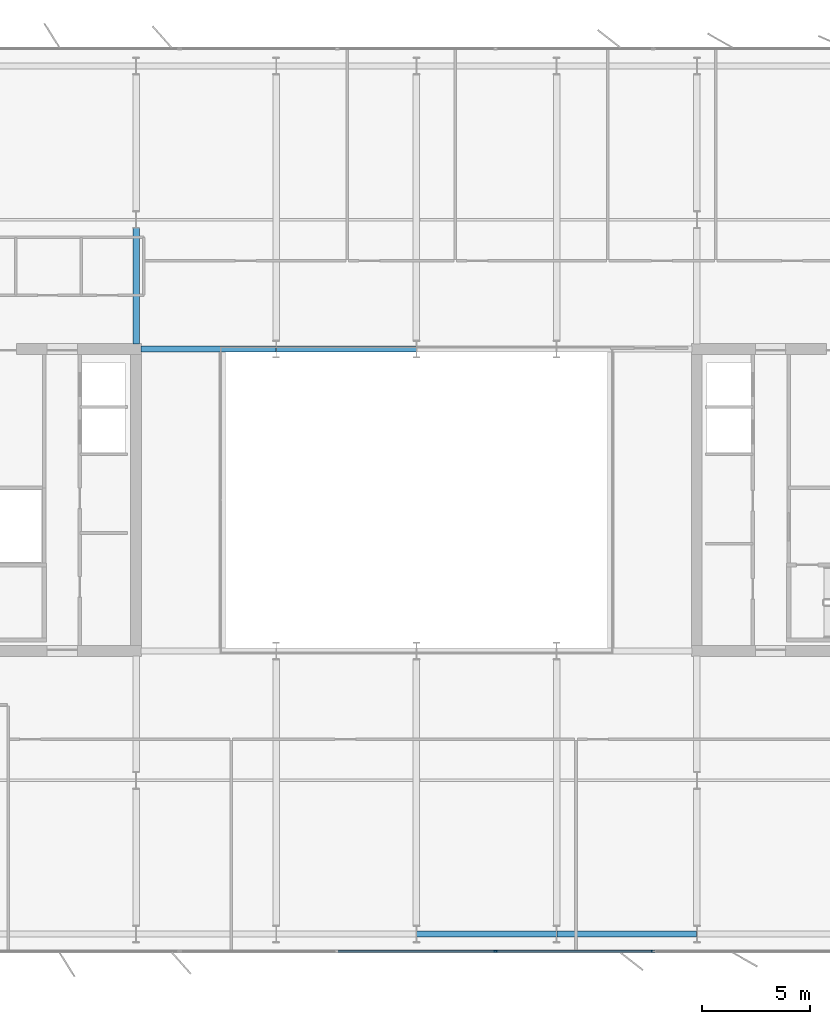
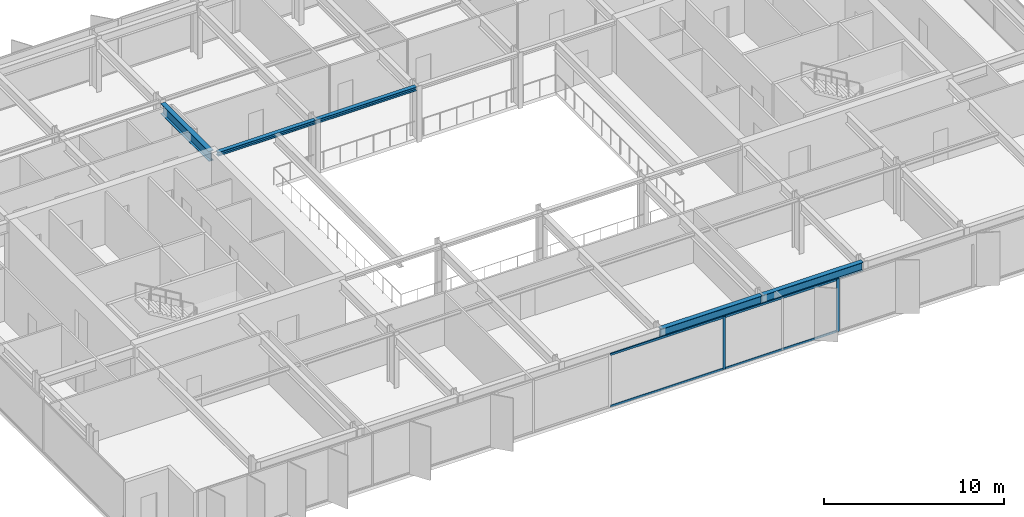
# One storey, part 6 of 23: 6 members, 5 beams, 1 element without a shape of its own.
"""IFC4 building model written with IfcOpenShell, lengths in metres."""

from ifc_helpers import new_model, si_unit, direction, frame, origin, origin_2d, place, context, subcontext, project, spatial, rectangle, i_section, extrude, material, layer, layer_set, material_profile, profile_set, type_object, element, aggregate, save


model = new_model("IFC4")

# Units and contexts
model_context = context("Model", 3, precision=1e-05, world=origin(), true_north=direction((0.0, 1.0)))
body_context = subcontext(model_context, "Body", "Model", "MODEL_VIEW")
ifc_project = project(units=[si_unit("LENGTHUNIT", "METRE"), si_unit("AREAUNIT", "SQUARE_METRE"), si_unit("VOLUMEUNIT", "CUBIC_METRE"), si_unit("PLANEANGLEUNIT", "RADIAN"), si_unit("MASSUNIT", "GRAM", prefix="KILO")], contexts=[model_context])

# Site, building, storey
site_placement = place(None, origin())
site = spatial("IfcSite", under=ifc_project, at=site_placement, CompositionType="ELEMENT")
building_placement = place(site_placement, origin())
building = spatial("IfcBuilding", under=site, at=building_placement, Name="Putna Gate Headquarters", CompositionType="ELEMENT")
storey_placement = place(building_placement, frame((0.0, 0.0, 229.0)))
storey = spatial("IfcBuildingStorey", under=building, at=storey_placement, Name="L57", CompositionType="ELEMENT", Elevation=229.0)

# Beams
ifc_material_1 = material(Name="Steel S355J2", Category="steel")
ifc_material_profile_1 = material_profile(ifc_material_1, i_section(OverallWidth=0.260009765625, OverallDepth=0.260009765625, WebThickness=0.010009765625, FlangeThickness=0.017578125, at=origin_2d()), Name="Steel S355J2")
ifc_profile_set_1 = profile_set([ifc_material_profile_1], Name="Steel S355J2")
beam_type_1 = type_object("IfcBeamType", Name="BM-ATRIUM-HEB260", PredefinedType="BEAM", material=ifc_profile_set_1)
beam_1_placement = place(storey_placement, frame((26.235107421875, 33.0, 3.449951171875), z_axis=(1.0, 0.0, 0.0), x_axis=(0.0, 1.0, 0.0)))
element("IfcBeam", 1, at=beam_1_placement, inside=storey, type_object=beam_type_1, Name="L57 Atrium Edge Beam AN1", PredefinedType="BEAM", context=body_context, shape_type="SweptSolid", body=[
    extrude(i_section(OverallWidth=0.260009765625, OverallDepth=0.260009765625, WebThickness=0.010009765625, FlangeThickness=0.017578125, at=origin_2d()), origin(), (0.0, 0.0, 1.0), 6.2587890625),
])
beam_2_placement = place(storey_placement, frame((32.506103515625, 33.0, 3.449951171875), z_axis=(1.0, 0.0, 0.0), x_axis=(0.0, 1.0, 0.0)))
element("IfcBeam", 2, at=beam_2_placement, inside=storey, type_object=beam_type_1, Name="L57 Atrium Edge Beam AN2", PredefinedType="BEAM", context=body_context, shape_type="SweptSolid", body=[
    extrude(i_section(OverallWidth=0.260009765625, OverallDepth=0.260009765625, WebThickness=0.010009765625, FlangeThickness=0.017578125, at=origin_2d()), origin(), (0.0, 0.0, 1.0), 6.48779296875),
])
ifc_material_profile_2 = material_profile(ifc_material_1, i_section(OverallWidth=0.300048828125, OverallDepth=0.699951171875, WebThickness=0.01708984375, FlangeThickness=0.031982421875, at=origin_2d()), Name="Steel S355J2")
ifc_profile_set_2 = profile_set([ifc_material_profile_2], Name="Steel S355J2")
beam_type_2 = type_object("IfcBeamType", Name="BM-GIRD-B-HEB700", PredefinedType="USERDEFINED", material=ifc_profile_set_2)
beam_3_placement = place(storey_placement, frame((26.0, 33.235107421875, 3.22998046875), z_axis=(0.0, 1.0, 0.0), x_axis=(-1.0, 0.0, 0.0)))
element("IfcBeam", 3, at=beam_3_placement, inside=storey, type_object=beam_type_2, Name="L57 North Primary Girder X26-1", ObjectType="GIRDER", PredefinedType="USERDEFINED", context=body_context, shape_type="SweptSolid", body=[
    extrude(i_section(OverallWidth=0.300048828125, OverallDepth=0.699951171875, WebThickness=0.01708984375, FlangeThickness=0.031982421875, at=origin_2d()), origin(), (0.0, 0.0, 1.0), 5.369873046875),
])
ifc_material_profile_3 = material_profile(ifc_material_1, i_section(OverallWidth=0.300048828125, OverallDepth=0.590087890625, WebThickness=0.012939453125, FlangeThickness=0.02490234375, at=origin_2d()), Name="Steel S355J2")
ifc_profile_set_3 = profile_set([ifc_material_profile_3], Name="Steel S355J2")
beam_type_3 = type_object("IfcBeamType", Name="BM-SPAN-Z4-HEA600", PredefinedType="SPANDREL", material=ifc_profile_set_3)
for number, where, z_axis, x_axis, name in (
    (4, (39.006103515625, 5.8798828125, 3.284912109375), (1.0, 0.0, 0.0), (0.0, 1.0, 0.0), "L57 S Perimeter Spandrel 5"),
    (5, (45.506103515625, 5.8798828125, 3.284912109375), (1.0, 0.0, 0.0), (0.0, 1.0, 0.0), "L57 S Perimeter Spandrel 6"),
):
    element("IfcBeam", number, at=place(storey_placement, frame(where, z_axis=z_axis, x_axis=x_axis)), inside=storey, type_object=beam_type_3, Name=name, PredefinedType="SPANDREL", context=body_context, shape_type="SweptSolid", body=[
        extrude(i_section(OverallWidth=0.300048828125, OverallDepth=0.590087890625, WebThickness=0.012939453125, FlangeThickness=0.02490234375, at=origin_2d()), origin(), (0.0, 0.0, 1.0), 6.48779296875),
    ])

# Curtain wall, members
ifc_material_2 = material(Name="Anodised bronze aluminium curtain wall", Category="aluminium")
ifc_layer = layer(ifc_material_2, 0.179931640625)
ifc_layer_set = layer_set([ifc_layer], Name="Anodised bronze aluminium curtain wall")
curtain_wall_type = type_object("IfcCurtainWallType", Name="CW-SYS-ATR", PredefinedType="USERDEFINED", material=ifc_layer_set)
curtain_wall_placement = place(storey_placement, origin())
curtain_wall = element("IfcCurtainWall", 6, at=curtain_wall_placement, inside=storey, type_object=curtain_wall_type, Name="L57 South Atrium Clear Glazing", ObjectType="ATRIUM GLAZING", PredefinedType="USERDEFINED")
ifc_material_3 = material(Name="Anodised bronze aluminium EN AW-6060", Category="aluminium")
ifc_material_profile_4 = material_profile(ifc_material_3, rectangle(XDim=0.070068359375, YDim=0.179931640625, at=origin_2d()), Name="Anodised bronze aluminium EN AW-6060")
ifc_profile_set_4 = profile_set([ifc_material_profile_4], Name="Anodised bronze aluminium EN AW-6060")
member_type_1 = type_object("IfcMemberType", Name="MULL-CWM-AT", PredefinedType="MULLION", material=ifc_profile_set_4)
member_1_placement = place(storey_placement, frame((42.666748046875, 5.080078125, 0.0), z_axis=(0.0, 0.0, 1.0), x_axis=(0.0, 1.0, 0.0)))
member_1 = element("IfcMember", 7, at=member_1_placement, type_object=member_type_1, Name="CWS-AT mullion 3", PredefinedType="MULLION", context=body_context, shape_type="SweptSolid", body=[
    extrude(rectangle(XDim=0.070068359375, YDim=0.179931640625, at=origin_2d()), origin(), (0.0, 0.0, 1.0), 3.580078125),
])
member_2_placement = place(storey_placement, frame((49.965087890625, 5.080078125, 0.0), z_axis=(0.0, 0.0, 1.0), x_axis=(0.0, 1.0, 0.0)))
member_2 = element("IfcMember", 8, at=member_2_placement, type_object=member_type_1, Name="CWS-AT mullion 4", PredefinedType="MULLION", context=body_context, shape_type="SweptSolid", body=[
    extrude(rectangle(XDim=0.070068359375, YDim=0.179931640625, at=origin_2d()), origin(), (0.0, 0.0, 1.0), 3.580078125),
])
ifc_material_profile_5 = material_profile(ifc_material_3, rectangle(XDim=0.070068359375, YDim=0.139892578125, at=origin_2d()), Name="Anodised bronze aluminium EN AW-6060")
ifc_profile_set_5 = profile_set([ifc_material_profile_5], Name="Anodised bronze aluminium EN AW-6060")
member_type_2 = type_object("IfcMemberType", Name="TRAN-CWT-AT", PredefinedType="USERDEFINED", material=ifc_profile_set_5)
member_3_placement = place(storey_placement, frame((35.368408203125, 5.080078125, 0.034912109375), z_axis=(1.0, 0.0, 0.0), x_axis=(0.0, 1.0, 0.0)))
member_3 = element("IfcMember", 9, at=member_3_placement, type_object=member_type_2, Name="CWS-AT transom 2.1", ObjectType="TRANSOM", PredefinedType="USERDEFINED", context=body_context, shape_type="SweptSolid", body=[
    extrude(rectangle(XDim=0.070068359375, YDim=0.139892578125, at=origin_2d()), origin(), (0.0, 0.0, 1.0), 7.26318359375),
])
member_4_placement = place(storey_placement, frame((35.368408203125, 5.080078125, 3.544921875), z_axis=(1.0, 0.0, 0.0), x_axis=(0.0, 1.0, 0.0)))
member_4 = element("IfcMember", 10, at=member_4_placement, type_object=member_type_2, Name="CWS-AT transom 2.2", ObjectType="TRANSOM", PredefinedType="USERDEFINED", context=body_context, shape_type="SweptSolid", body=[
    extrude(rectangle(XDim=0.070068359375, YDim=0.139892578125, at=origin_2d()), origin(), (0.0, 0.0, 1.0), 7.26318359375),
])
member_5_placement = place(storey_placement, frame((42.70166015625, 5.080078125, 0.034912109375), z_axis=(1.0, 0.0, 0.0), x_axis=(0.0, 1.0, 0.0)))
member_5 = element("IfcMember", 11, at=member_5_placement, type_object=member_type_2, Name="CWS-AT transom 3.1", ObjectType="TRANSOM", PredefinedType="USERDEFINED", context=body_context, shape_type="SweptSolid", body=[
    extrude(rectangle(XDim=0.070068359375, YDim=0.139892578125, at=origin_2d()), origin(), (0.0, 0.0, 1.0), 7.228271484375),
])
member_6_placement = place(storey_placement, frame((42.70166015625, 5.080078125, 3.544921875), z_axis=(1.0, 0.0, 0.0), x_axis=(0.0, 1.0, 0.0)))
member_6 = element("IfcMember", 12, at=member_6_placement, type_object=member_type_2, Name="CWS-AT transom 3.2", ObjectType="TRANSOM", PredefinedType="USERDEFINED", context=body_context, shape_type="SweptSolid", body=[
    extrude(rectangle(XDim=0.070068359375, YDim=0.139892578125, at=origin_2d()), origin(), (0.0, 0.0, 1.0), 7.228271484375),
])
aggregate(curtain_wall, [member_1, member_2, member_3, member_4, member_5, member_6])

save(model, "model.ifc")
